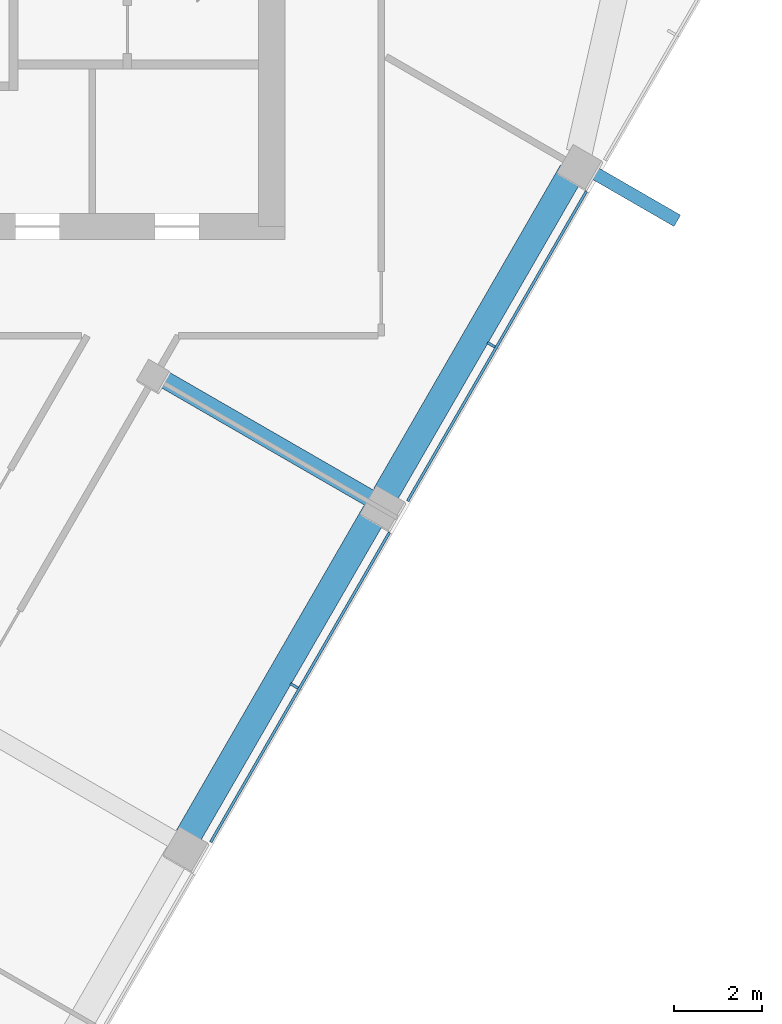
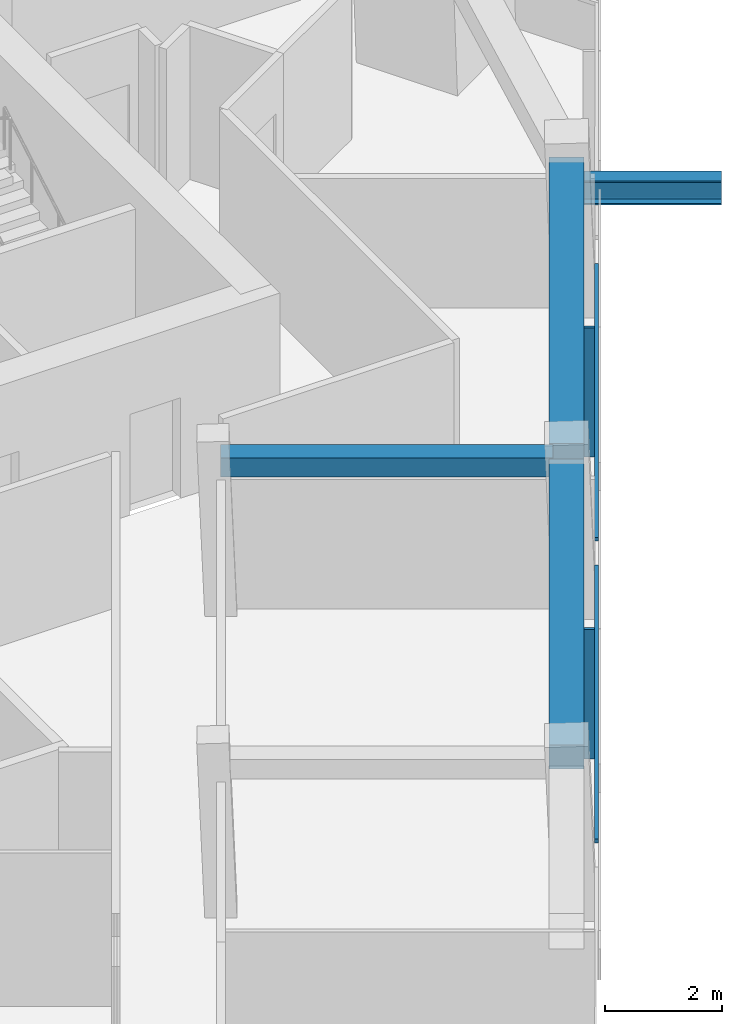
# One storey, part 4 of 12: 5 members, 3 beams, 1 element without a shape of its own.
"""IFC4 building model written with IfcOpenShell, lengths in metres."""

import ifcopenshell
import ifcopenshell.guid

model = None  # the IFC model being written
_history = None  # IfcOwnerHistory: only IFC2X3 demands one
_inside = {}  # id of a spatial element -> (the spatial element, [elements in it])
_under = {}  # id of a project, library or spatial element -> (it, [spatial elements below it])
_declared = {}  # id of a project -> (the project, [libraries it declares])
_typed = {}  # id of a type object -> (the type object, [elements of that type])
_made_of = {}  # id of a material, layer set ... -> (it, [elements and type objects made of it])


def new_model(schema):
    """Start an empty IFC model of exactly this schema.

    Asked for "IFC4X3", IfcOpenShell would pick the latest addendum, in which some entities
    have other attributes; the version numbers below select the first issue.
    IFC2X3 requires an IfcOwnerHistory on every rooted entity: one is made here for all.
    """
    global model, _history
    if schema == "IFC4X3":
        model = ifcopenshell.file(schema_version=(4, 3, 0, 0))
    else:
        model = ifcopenshell.file(schema=schema)
    _inside.clear()
    _under.clear()
    _declared.clear()
    _typed.clear()
    _made_of.clear()
    _history = None
    if model.schema == "IFC2X3":
        org = make("IfcOrganization", Name="unknown")
        user = make(
            "IfcPersonAndOrganization",
            ThePerson=make("IfcPerson", FamilyName="unknown"),
            TheOrganization=org,
        )
        app = make(
            "IfcApplication",
            ApplicationDeveloper=org,
            Version="unknown",
            ApplicationFullName="unknown",
            ApplicationIdentifier="unknown",
        )
        _history = make(
            "IfcOwnerHistory",
            OwningUser=user,
            OwningApplication=app,
            ChangeAction="ADDED",
            CreationDate=0,
        )
    return model


def make(cls, **values):
    """One entity of the class cls with the attributes given. An attribute that is None is left unset."""
    return model.create_entity(
        cls, **{name: value for name, value in values.items() if value is not None}
    )


def rooted(cls, **values):
    """An entity with a GlobalId (a new one), such as an element, a storey or a relation."""
    return make(cls, GlobalId=ifcopenshell.guid.new(), OwnerHistory=_history, **values)


def si_unit(unit_type, name, prefix=None):
    """IfcSIUnit, for example si_unit("LENGTHUNIT", "METRE", prefix="MILLI")."""
    return make("IfcSIUnit", UnitType=unit_type, Prefix=prefix, Name=name)


def assignment(units):
    """IfcUnitAssignment: the units of a project."""
    return None if units is None else make("IfcUnitAssignment", Units=units)


def point(xyz):
    """IfcCartesianPoint."""
    return None if xyz is None else make("IfcCartesianPoint", Coordinates=xyz)


def direction(xyz):
    """IfcDirection."""
    return None if xyz is None else make("IfcDirection", DirectionRatios=xyz)


def frame(location, z_axis=None, x_axis=None):
    """IfcAxis2Placement3D, a coordinate frame: its origin and axes. An axis left out is left unset."""
    return make(
        "IfcAxis2Placement3D",
        Location=point(location),
        Axis=direction(z_axis),
        RefDirection=direction(x_axis),
    )


def frame_2d(location, x_axis=None):
    """IfcAxis2Placement2D, a coordinate frame in the plane: its origin and x axis."""
    return make(
        "IfcAxis2Placement2D", Location=point(location), RefDirection=direction(x_axis)
    )


def origin():
    """The frame at (0, 0, 0) with its axes left unset."""
    return frame((0.0, 0.0, 0.0))


def origin_2d():
    """The frame at (0, 0) in the plane with its x axis left unset."""
    return frame_2d((0.0, 0.0))


def place(relative_to, where):
    """IfcLocalPlacement: puts the frame where relative to a parent placement (None: the world)."""
    return make(
        "IfcLocalPlacement", PlacementRelTo=relative_to, RelativePlacement=where
    )


def context(
    kind, dimensions, precision=None, world=None, true_north=None, identifier=None
):
    """IfcGeometricRepresentationContext, for example the 3D "Model" context."""
    return make(
        "IfcGeometricRepresentationContext",
        ContextIdentifier=identifier,
        ContextType=kind,
        CoordinateSpaceDimension=dimensions,
        Precision=precision,
        WorldCoordinateSystem=world,
        TrueNorth=true_north,
    )


def subcontext(parent, identifier, kind, view, scale=None):
    """IfcGeometricRepresentationSubContext, for example "Body" below "Model"."""
    return make(
        "IfcGeometricRepresentationSubContext",
        ContextIdentifier=identifier,
        ContextType=kind,
        ParentContext=parent,
        TargetScale=scale,
        TargetView=view,
    )


def project(units=None, contexts=None):
    """IfcProject with its units and contexts."""
    return rooted(
        "IfcProject",
        Name="project",
        RepresentationContexts=contexts,
        UnitsInContext=assignment(units),
    )


def spatial(cls, under=None, at=None, **own):
    """A site, building, storey or space (cls), placed at a placement, below another one or the project."""
    s = rooted(cls, ObjectPlacement=at, **own)
    if under is not None:
        _under.setdefault(under.id(), (under, []))[1].append(s)
    return s


def profile(cls, at=None, kind="AREA", **sizes):
    """A parametric profile (cls). Its sizes go by their IFC names, for example OverallWidth=200.0."""
    return make(cls, ProfileType=kind, Position=at, **sizes)


def rectangle(**sizes):
    """IfcRectangleProfileDef."""
    return profile("IfcRectangleProfileDef", **sizes)


def i_section(**sizes):
    """IfcIShapeProfileDef."""
    return profile("IfcIShapeProfileDef", **sizes)


def extrude(swept, where, along, depth):
    """IfcExtrudedAreaSolid: the profile swept, set in the frame where, extruded along a direction by depth."""
    return make(
        "IfcExtrudedAreaSolid",
        SweptArea=swept,
        Position=where,
        ExtrudedDirection=direction(along),
        Depth=depth,
    )


def shape(context_of_items, identifier, shape_type, items):
    """IfcShapeRepresentation: the items that make up one representation, for example the "Body"."""
    return make(
        "IfcShapeRepresentation",
        ContextOfItems=context_of_items,
        RepresentationIdentifier=identifier,
        RepresentationType=shape_type,
        Items=items,
    )


def material(Name=None, Category=None):
    """IfcMaterial."""
    return make("IfcMaterial", Name=Name, Category=Category)


def layer(
    of_material, thickness, ventilated=None, Name=None, Category=None, Priority=None
):
    """IfcMaterialLayer: one layer of a wall or slab, of a material (None: an air gap)."""
    return make(
        "IfcMaterialLayer",
        Material=of_material,
        LayerThickness=thickness,
        IsVentilated=ventilated,
        Name=Name,
        Category=Category,
        Priority=Priority,
    )


def layer_set(layers, Name=None):
    """IfcMaterialLayerSet."""
    return make("IfcMaterialLayerSet", MaterialLayers=layers, LayerSetName=Name)


def material_profile(
    of_material, cross_section, Name=None, Category=None, Priority=None
):
    """IfcMaterialProfile: a cross section and its material."""
    return make(
        "IfcMaterialProfile",
        Name=Name,
        Material=of_material,
        Profile=cross_section,
        Priority=Priority,
        Category=Category,
    )


def profile_set(profiles, Name=None, composite=None):
    """IfcMaterialProfileSet."""
    return make(
        "IfcMaterialProfileSet",
        Name=Name,
        MaterialProfiles=profiles,
        CompositeProfile=composite,
    )


def made_of(thing, what):
    """Note that an element or type object is made of a material, layer set ...; save() writes the relation."""
    if what is not None:
        _made_of.setdefault(what.id(), (what, []))[1].append(thing)
    return thing


def type_object(cls, material=None, **own):
    """A type object (cls), such as IfcWallType, which elements share."""
    return made_of(rooted(cls, **own), material)


def element(
    cls,
    number,
    at=None,
    inside=None,
    cuts=None,
    type_object=None,
    material=None,
    context=None,
    identifier="Body",
    shape_type=None,
    held_by="IfcProductDefinitionShape",
    body=None,
    shapes=None,
    **own,
):
    """One element of the class cls, such as IfcWall. Its Tag is "e" and its number.

    at: its placement. inside: the storey or other place that contains it. cuts: it is an
    opening in that element (IfcRelVoidsElement). A single representation is given by context,
    identifier, shape_type and body (its items); several are given by shapes. held_by: the class
    of the entity that holds the representations. save() writes the other relations.
    """
    e = rooted(cls, Tag="e%d" % number, ObjectPlacement=at, **own)
    if body is not None:
        shapes = [shape(context, identifier, shape_type, body)]
    if shapes is not None:
        e.Representation = make(held_by, Representations=shapes)
    if inside is not None:
        _inside.setdefault(inside.id(), (inside, []))[1].append(e)
    if cuts is not None:
        rooted(
            "IfcRelVoidsElement", RelatingBuildingElement=cuts, RelatedOpeningElement=e
        )
    if type_object is not None:
        _typed.setdefault(type_object.id(), (type_object, []))[1].append(e)
    return made_of(e, material)


def aggregate(whole, parts):
    """IfcRelAggregates: a whole, such as a stair, and the parts it consists of."""
    return rooted("IfcRelAggregates", RelatingObject=whole, RelatedObjects=parts)


def save(model, path):
    """Write the relations noted so far, then the file.

    IfcRelAggregates (storeys below a building ...), IfcRelContainedInSpatialStructure (elements
    in a storey), IfcRelDefinesByType, IfcRelAssociatesMaterial and IfcRelDeclares: one each for
    every whole, place, type object, material and project.
    """
    for whole, parts in _under.values():
        aggregate(whole, parts)
    for where, things in _inside.values():
        rooted(
            "IfcRelContainedInSpatialStructure",
            RelatedElements=things,
            RelatingStructure=where,
        )
    for kind, things in _typed.values():
        rooted("IfcRelDefinesByType", RelatedObjects=things, RelatingType=kind)
    for what, things in _made_of.values():
        rooted("IfcRelAssociatesMaterial", RelatedObjects=things, RelatingMaterial=what)
    for by, libraries in _declared.values():
        rooted("IfcRelDeclares", RelatingContext=by, RelatedDefinitions=libraries)
    model.write(path)


model = new_model("IFC4")

# Units and contexts
model_context = context("Model", 3, precision=1e-05, world=origin(), true_north=direction((0.0, 1.0)))
body_context = subcontext(model_context, "Body", "Model", "MODEL_VIEW")
ifc_project = project(units=[si_unit("LENGTHUNIT", "METRE"), si_unit("AREAUNIT", "SQUARE_METRE"), si_unit("VOLUMEUNIT", "CUBIC_METRE"), si_unit("PLANEANGLEUNIT", "RADIAN"), si_unit("MASSUNIT", "GRAM", prefix="KILO")], contexts=[model_context])

# Site, building, storey
site_placement = place(None, origin())
site = spatial("IfcSite", under=ifc_project, at=site_placement, CompositionType="ELEMENT")
building_placement = place(site_placement, origin())
building = spatial("IfcBuilding", under=site, at=building_placement, Name="Altiplano Prism Tower", CompositionType="ELEMENT")
storey_placement = place(building_placement, frame((0.0, 0.0, 260.800048828125)))
storey = spatial("IfcBuildingStorey", under=building, at=storey_placement, Name="L67", CompositionType="ELEMENT", Elevation=260.800048828125)

# Member
ifc_material_1 = material(Name="Steel S355", Category="steel")
ifc_material_profile_1 = material_profile(ifc_material_1, i_section(OverallWidth=0.300048828125, OverallDepth=0.5, WebThickness=0.014404296875, FlangeThickness=0.028076171875, FilletRadius=0.027099609375, at=origin_2d()), Name="Brace bracket HEB 500")
ifc_profile_set_1 = profile_set([ifc_material_profile_1], Name="Steel S355")
member_type_1 = type_object("IfcMemberType", Name="Brace bracket HEB 500", PredefinedType="STRUT", material=ifc_profile_set_1)
member_1_placement = place(storey_placement, frame((104.27197265625, 94.552734375, 2.397705078125), z_axis=(0.866029095148, -0.499993606316, 0.0), x_axis=(0.499993606316, 0.866029095148, 0.0)))
element("IfcMember", 1, at=member_1_placement, inside=storey, type_object=member_type_1, Name="Brace bracket 2.264.4", PredefinedType="STRUT", context=body_context, shape_type="SweptSolid", body=[
    extrude(i_section(OverallWidth=0.300048828125, OverallDepth=0.5, WebThickness=0.014404296875, FlangeThickness=0.028076171875, FilletRadius=0.027099609375, at=origin_2d()), origin(), (0.0, 0.0, 1.0), 2.64990234375),
])

# Curtain wall, members
ifc_material_2 = material(Name="Aluminium and glass", Category="aluminium")
ifc_layer = layer(ifc_material_2, 0.303955078125)
ifc_layer_set = layer_set([ifc_layer], Name="Aluminium and glass")
curtain_wall_type = type_object("IfcCurtainWallType", Name="CW2 lounge-band unitised glazing", PredefinedType="NOTDEFINED", material=ifc_layer_set)
curtain_wall_placement = place(storey_placement, origin())
curtain_wall = element("IfcCurtainWall", 2, at=curtain_wall_placement, inside=storey, type_object=curtain_wall_type, Name="CW2 curtain wall south-east face L67", PredefinedType="NOTDEFINED")
ifc_material_3 = material(Name="Aluminium", Category="aluminium")
ifc_material_profile_2 = material_profile(ifc_material_3, rectangle(XDim=0.199951171875, YDim=0.06005859375, at=origin_2d()), Name="CW2 mullion 60 x 200")
ifc_profile_set_2 = profile_set([ifc_material_profile_2], Name="Aluminium")
member_type_2 = type_object("IfcMemberType", Name="CW2 mullion 60 x 200", PredefinedType="MULLION", material=ifc_profile_set_2)
member_2_placement = place(storey_placement, frame((97.81494140625, 82.599853515625, 0.0), z_axis=(0.0, 0.0, 1.0), x_axis=(-0.866025400163, 0.500000006273, 0.0)))
member_2 = element("IfcMember", 3, at=member_2_placement, type_object=member_type_2, Name="CW2 mullion", PredefinedType="MULLION", context=body_context, shape_type="SweptSolid", body=[
    extrude(rectangle(XDim=0.199951171875, YDim=0.06005859375, at=origin_2d()), origin(), (0.0, 0.0, 1.0), 2.699951171875),
])
member_3_placement = place(storey_placement, frame((102.31494140625, 90.39404296875, 0.0), z_axis=(0.0, 0.0, 1.0), x_axis=(-0.866025400163, 0.500000006273, 0.0)))
member_3 = element("IfcMember", 4, at=member_3_placement, type_object=member_type_2, Name="CW2 mullion", PredefinedType="MULLION", context=body_context, shape_type="SweptSolid", body=[
    extrude(rectangle(XDim=0.199951171875, YDim=0.06005859375, at=origin_2d()), origin(), (0.0, 0.0, 1.0), 2.699951171875),
])
ifc_material_profile_3 = material_profile(ifc_material_3, rectangle(XDim=0.06005859375, YDim=0.080078125, at=origin_2d()), Name="CW2 transom 80 x 60")
ifc_profile_set_3 = profile_set([ifc_material_profile_3], Name="Aluminium")
member_type_3 = type_object("IfcMemberType", Name="CW2 transom 80 x 60", PredefinedType="USERDEFINED", material=ifc_profile_set_3)
member_4_placement = place(storey_placement, frame((95.90478515625, 79.03125, 1.099853515625), z_axis=(0.499995783154, 0.866027838368, 0.0), x_axis=(-0.866027838368, 0.499995783154, 0.0)))
member_4 = element("IfcMember", 5, at=member_4_placement, type_object=member_type_3, Name="CW2 transom", ObjectType="TRANSOM", PredefinedType="USERDEFINED", context=body_context, shape_type="SweptSolid", body=[
    extrude(rectangle(XDim=0.06005859375, YDim=0.080078125, at=origin_2d()), origin(), (0.0, 0.0, 1.0), 8.169921875),
])
member_5_placement = place(storey_placement, frame((100.40478515625, 86.82568359375, 1.099853515625), z_axis=(0.500008722908, 0.866020367552, 0.0), x_axis=(-0.866020367552, 0.500008722908, 0.0)))
member_5 = element("IfcMember", 6, at=member_5_placement, type_object=member_type_3, Name="CW2 transom", ObjectType="TRANSOM", PredefinedType="USERDEFINED", context=body_context, shape_type="SweptSolid", body=[
    extrude(rectangle(XDim=0.06005859375, YDim=0.080078125, at=origin_2d()), origin(), (0.0, 0.0, 1.0), 8.169677734375),
])
aggregate(curtain_wall, [member_2, member_4, member_3, member_5])

# Beams
ifc_material_4 = material(Name="Concrete C60/75", Category="concrete")
ifc_material_profile_4 = material_profile(ifc_material_4, rectangle(XDim=0.60009765625, YDim=0.5, at=origin_2d()), Name="Edge beam 600x500")
ifc_profile_set_4 = profile_set([ifc_material_profile_4], Name="Concrete C60/75")
beam_type_1 = type_object("IfcBeamType", Name="Edge beam 600x500", PredefinedType="SPANDREL", material=ifc_profile_set_4)
for number, where, z_axis, x_axis, name in (
    (7, (95.386962890625, 79.163330078125, 2.949951171875), (0.499994660107, 0.866028486751, 0.0), (-0.866028486751, 0.499994660107, 0.0), "Edge beam P22-P23 L68"),
    (8, (99.886962890625, 86.957763671875, 2.949951171875), (0.500007039007, 0.866021339774, 0.0), (-0.866021339774, 0.500007039007, 0.0), "Edge beam P23-P24 L68"),
):
    element("IfcBeam", number, at=place(storey_placement, frame(where, z_axis=z_axis, x_axis=x_axis)), inside=storey, type_object=beam_type_1, Name=name, PredefinedType="SPANDREL", context=body_context, shape_type="SweptSolid", body=[
        extrude(rectangle(XDim=0.60009765625, YDim=0.5, at=origin_2d()), origin(), (0.0, 0.0, 1.0), 8.5400390625),
    ])
ifc_material_profile_5 = material_profile(ifc_material_4, rectangle(XDim=0.39990234375, YDim=0.39990234375, at=origin_2d()), Name="Tie beam 400x400")
ifc_profile_set_5 = profile_set([ifc_material_profile_5], Name="Concrete C60/75")
beam_type_2 = type_object("IfcBeamType", Name="Tie beam 400x400", PredefinedType="BEAM", material=ifc_profile_set_5)
beam_placement = place(storey_placement, frame((94.64501953125, 89.718505859375, 3.0), z_axis=(0.866029822496, -0.499992346489, 0.0), x_axis=(0.499992346489, 0.866029822496, 0.0)))
element("IfcBeam", 9, at=beam_placement, inside=storey, type_object=beam_type_2, Name="Tie beam I23 L68", PredefinedType="BEAM", context=body_context, shape_type="SweptSolid", body=[
    extrude(rectangle(XDim=0.39990234375, YDim=0.39990234375, at=origin_2d()), origin(), (0.0, 0.0, 1.0), 5.68994140625),
])

save(model, "model.ifc")
